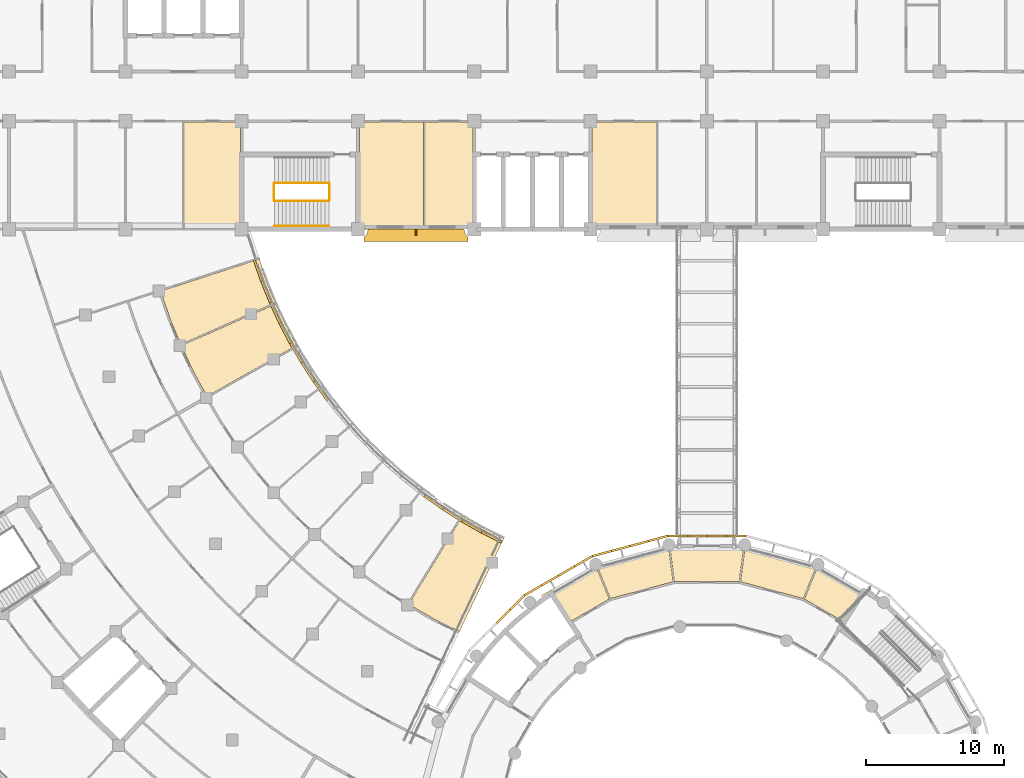
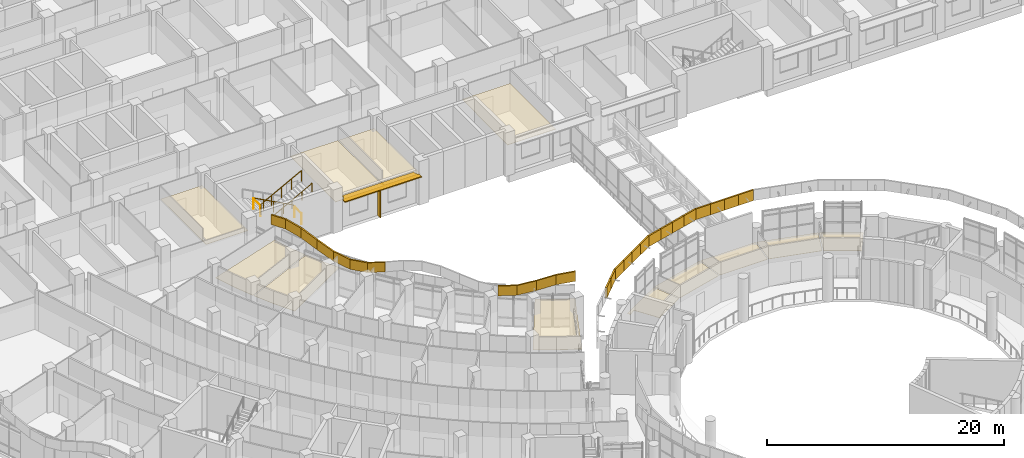
# One storey, part 122 of 136: 37 coverings, 5 railings, 2 shading devices.
"""IFC4 building model written with IfcOpenShell, lengths in metres."""

from ifc_helpers import new_model, si_unit, direction, frame, origin, origin_2d, place, context, subcontext, project, spatial, polyline, rectangle, circle, outline, extrude, material, layer, layer_set, material_profile, profile_set, type_object, element, save


model = new_model("IFC4")

# Units and contexts
model_context = context("Model", 3, precision=1e-05, world=origin(), true_north=direction((0.0, 1.0)))
body_context = subcontext(model_context, "Body", "Model", "MODEL_VIEW")
ifc_project = project(units=[si_unit("LENGTHUNIT", "METRE"), si_unit("AREAUNIT", "SQUARE_METRE"), si_unit("VOLUMEUNIT", "CUBIC_METRE"), si_unit("PLANEANGLEUNIT", "RADIAN"), si_unit("MASSUNIT", "GRAM", prefix="KILO")], contexts=[model_context])

# Site, building, storey
site_placement = place(None, origin())
site = spatial("IfcSite", under=ifc_project, at=site_placement, CompositionType="ELEMENT")
building_placement = place(site_placement, origin())
building = spatial("IfcBuilding", under=site, at=building_placement, Name="Bougainvillea Quay General Hospital", CompositionType="ELEMENT")
storey_placement = place(building_placement, frame((0.0, 0.0, 5.39990234375)))
storey = spatial("IfcBuildingStorey", under=building, at=storey_placement, Name="L01", CompositionType="ELEMENT", Elevation=5.39990234375)

# Coverings
ifc_material_1 = material(Name="Powder-coated aluminium fascia, white", Category="aluminium")
ifc_layer_1 = layer(ifc_material_1, 0.14990234375)
ifc_layer_set_1 = layer_set([ifc_layer_1], Name="Powder-coated aluminium fascia, white")
covering_type_1 = type_object("IfcCoveringType", Name="Aluminium fascia band white 150x1100", PredefinedType="CLADDING", material=ifc_layer_set_1)
covering_1_placement = place(storey_placement, frame((112.013427734375, 95.3701171875, 6.650146484375), z_axis=(0.0, 0.0, 1.0), x_axis=(-1.0, 0.0, 0.0)))
element("IfcCovering", 1, at=covering_1_placement, inside=storey, type_object=covering_type_1, Name="Fascia band white e1 23", PredefinedType="CLADDING", context=body_context, shape_type="SweptSolid", body=[
    extrude(outline(polyline([(0.0, 0.0), (1.44287109375, 0.0), (1.44287109375, -0.14990234375), (-0.019775390625, -0.14990234375), (0.0, 0.0)])), origin(), (0.0, 0.0, 1.0), 1.10009765625),
])
covering_2_placement = place(storey_placement, frame((110.570556640625, 95.3701171875, 6.650146484375), z_axis=(0.0, 0.0, 1.0), x_axis=(-1.0, 0.0, 0.0)))
element("IfcCovering", 2, at=covering_2_placement, inside=storey, type_object=covering_type_1, Name="Fascia band white e1 24", PredefinedType="CLADDING", context=body_context, shape_type="SweptSolid", body=[
    extrude(outline(polyline([(0.0, 0.0), (1.37060546875, 0.0), (1.37060546875, -0.14990234375), (0.0, -0.14990234375), (0.0, 0.0)])), origin(), (0.0, 0.0, 1.0), 1.10009765625),
])
covering_3_placement = place(storey_placement, frame((109.199951171875, 95.3701171875, 6.650146484375), z_axis=(0.0, 0.0, 1.0), x_axis=(-1.0, 0.0, 0.0)))
element("IfcCovering", 3, at=covering_3_placement, inside=storey, type_object=covering_type_1, Name="Fascia band white e1 25", PredefinedType="CLADDING", context=body_context, shape_type="SweptSolid", body=[
    extrude(outline(polyline([(0.0, 0.0), (1.370361328125, 0.0), (1.370361328125, -0.14990234375), (0.0, -0.14990234375), (0.0, 0.0)])), origin(), (0.0, 0.0, 1.0), 1.10009765625),
])
covering_4_placement = place(storey_placement, frame((107.82958984375, 95.3701171875, 6.650146484375), z_axis=(0.0, 0.0, 1.0), x_axis=(-1.0, 0.0, 0.0)))
element("IfcCovering", 4, at=covering_4_placement, inside=storey, type_object=covering_type_1, Name="Fascia band white e1 26", PredefinedType="CLADDING", context=body_context, shape_type="SweptSolid", body=[
    extrude(outline(polyline([(0.0, 0.0), (1.443115234375, 0.0), (1.462646484375, -0.14990234375), (0.0, -0.14990234375), (0.0, 0.0)])), origin(), (0.0, 0.0, 1.0), 1.10009765625),
])
covering_5_placement = place(storey_placement, frame((106.386474609375, 95.3701171875, 6.650146484375), z_axis=(0.0, 0.0, 1.0), x_axis=(-0.965902723626, -0.258905250026, 0.0)))
element("IfcCovering", 5, at=covering_5_placement, inside=storey, type_object=covering_type_1, Name="Fascia band white e1 27", PredefinedType="CLADDING", context=body_context, shape_type="SweptSolid", body=[
    extrude(outline(polyline([(0.0, 0.0), (1.4427484812010494, -1.1102230246251565e-16), (1.4427601315406933, -0.14988922115835282), (-0.019945216217249394, -0.14984782527068197), (0.0, 0.0)])), origin(), (0.0, 0.0, 1.0), 1.10009765625),
])
for number, where, z_axis, x_axis, name in (
    (6, (104.992919921875, 94.99658203125, 6.650146484375), (0.0, 0.0, 1.0), (-0.965917832393, -0.258848876884, 0.0), "Fascia band white e1 28"),
    (7, (103.669189453125, 94.641845703125, 6.650146484375), (0.0, 0.0, 1.0), (-0.965917832393, -0.258848876884, 0.0), "Fascia band white e1 29"),
):
    element("IfcCovering", number, at=place(storey_placement, frame(where, z_axis=z_axis, x_axis=x_axis)), inside=storey, type_object=covering_type_1, Name=name, PredefinedType="CLADDING", context=body_context, shape_type="SweptSolid", body=[
        extrude(outline(polyline([(0.0, 0.0), (1.3704379651734342, -5.551115123125783e-17), (1.3704583634542102, -0.1498892202231306), (2.039828077596978e-05, -0.14988922022313056), (0.0, 0.0)])), origin(), (0.0, 0.0, 1.0), 1.10009765625),
    ])
covering_6_placement = place(storey_placement, frame((102.345458984375, 94.287109375, 6.650146484375), z_axis=(0.0, 0.0, 1.0), x_axis=(-0.96591406393, -0.258862938836, 0.0)))
element("IfcCovering", 8, at=covering_6_placement, inside=storey, type_object=covering_type_1, Name="Fascia band white e1 30", PredefinedType="CLADDING", context=body_context, shape_type="SweptSolid", body=[
    extrude(outline(polyline([(0.0, 0.0), (1.4429842986801122, -5.551115123125783e-17), (1.4627235643386534, -0.14986654323044182), (1.8216170730327164e-05, -0.14988922050420808), (0.0, 0.0)])), origin(), (0.0, 0.0, 1.0), 1.10009765625),
])
covering_7_placement = place(storey_placement, frame((100.95166015625, 93.91357421875, 6.650146484375), z_axis=(0.0, 0.0, 1.0), x_axis=(-0.866058810152, -0.49994213401, 0.0)))
element("IfcCovering", 9, at=covering_7_placement, inside=storey, type_object=covering_type_1, Name="Fascia band white e1 31", PredefinedType="CLADDING", context=body_context, shape_type="SweptSolid", body=[
    extrude(outline(polyline([(0.0, 0.0), (1.4430380994058942, 0.0), (1.443016331686934, -0.14995740286665526), (-0.019704824865206458, -0.14987107548026693), (0.0, 0.0)])), origin(), (0.0, 0.0, 1.0), 1.10009765625),
])
covering_8_placement = place(storey_placement, frame((99.701904296875, 93.192138671875, 6.650146484375), z_axis=(0.0, 0.0, 1.0), x_axis=(-0.865986804272, -0.500066850358, 0.0)))
element("IfcCovering", 10, at=covering_8_placement, inside=storey, type_object=covering_type_1, Name="Fascia band white e1 32", PredefinedType="CLADDING", context=body_context, shape_type="SweptSolid", body=[
    extrude(outline(polyline([(0.0, 0.0), (1.3704222423145833, -1.1102230246251565e-16), (1.370590301720145, -0.15007948481028), (-4.3363154074840815e-05, -0.14995739817689163), (0.0, 0.0)])), origin(), (0.0, 0.0, 1.0), 1.10009765625),
])
covering_9_placement = place(storey_placement, frame((98.51513671875, 92.5068359375, 6.650146484375), z_axis=(0.0, 0.0, 1.0), x_axis=(-0.866031343357, -0.499989712218, 0.0)))
element("IfcCovering", 11, at=covering_9_placement, inside=storey, type_object=covering_type_1, Name="Fascia band white e1 33", PredefinedType="CLADDING", context=body_context, shape_type="SweptSolid", body=[
    extrude(outline(polyline([(0.0, 0.0), (1.3706336703115394, 0.0), (1.370815097766146, -0.15007946924533533), (0.00018142745460673904, -0.15007946924533525), (0.0, 0.0)])), origin(), (0.0, 0.0, 1.0), 1.10009765625),
])
covering_10_placement = place(storey_placement, frame((97.328125, 91.821533203125, 6.650146484375), z_axis=(0.0, 0.0, 1.0), x_axis=(-0.866058810152, -0.49994213401, 0.0)))
element("IfcCovering", 12, at=covering_10_placement, inside=storey, type_object=covering_type_1, Name="Fascia band white e1 34", PredefinedType="CLADDING", context=body_context, shape_type="SweptSolid", body=[
    extrude(outline(polyline([(0.0, 0.0), (1.4430380994058942, 0.0), (1.4629108289723776, -0.15016578643810474), (0.00018967242023705533, -0.15007945905171638), (0.0, 0.0)])), origin(), (0.0, 0.0, 1.0), 1.10009765625),
])
covering_11_placement = place(storey_placement, frame((96.078369140625, 91.10009765625, 6.650146484375), z_axis=(0.0, 0.0, 1.0), x_axis=(-0.707106781187, -0.707106781187, 0.0)))
element("IfcCovering", 13, at=covering_11_placement, inside=storey, type_object=covering_type_1, Name="Fascia band white e1 35", PredefinedType="CLADDING", context=body_context, shape_type="SweptSolid", body=[
    extrude(outline(polyline([(0.0, 0.0), (1.4428707219621983, 0.0), (1.4428707219621983, -0.15019113760554115), (-0.01968021803107091, -0.1501911376055411), (0.0, 0.0)])), origin(), (0.0, 0.0, 1.0), 1.10009765625),
])
covering_12_placement = place(storey_placement, frame((95.05810546875, 90.079833984375, 6.650146484375), z_axis=(0.0, 0.0, 1.0), x_axis=(-0.707106781187, -0.707106781187, 0.0)))
element("IfcCovering", 14, at=covering_12_placement, inside=storey, type_object=covering_type_1, Name="Fascia band white e1 36", PredefinedType="CLADDING", context=body_context, shape_type="SweptSolid", body=[
    extrude(outline(polyline([(0.0, 0.0), (1.370364655531937, 0.0), (1.370364655531937, -0.15019113760554115), (0.0, -0.15019113760554112), (0.0, 0.0)])), origin(), (0.0, 0.0, 1.0), 1.10009765625),
])
ifc_material_2 = material(Name="Powder-coated aluminium fascia, yellow", Category="aluminium")
ifc_layer_2 = layer(ifc_material_2, 0.14990234375)
ifc_layer_set_2 = layer_set([ifc_layer_2], Name="Powder-coated aluminium fascia, yellow")
covering_type_2 = type_object("IfcCoveringType", Name="Aluminium wave fascia ribbon yellow 150x1000", PredefinedType="CLADDING", material=ifc_layer_set_2)
covering_13_placement = place(storey_placement, frame((94.427490234375, 95.04443359375, 4.79345703125), z_axis=(-0.161366098667, 0.081455796295, 0.983527292682), x_axis=(-0.877413593793, 0.444377516384, -0.180759531864)))
element("IfcCovering", 15, at=covering_13_placement, inside=storey, type_object=covering_type_2, Name="Fascia ribbon yellow a11 1", PredefinedType="CLADDING", context=body_context, shape_type="SweptSolid", body=[
    extrude(outline(polyline([(0.0, 0.0), (1.6575272682500928, 3.3610267347050637e-18), (1.6610878113243264, 0.1498190698823268), (9.816896881470472e-05, 0.15001995212895292), (0.0, 0.0)])), origin(), (-0.180759531864, -0.000237043192, 0.983527292682), 1.0),
])
covering_14_placement = place(storey_placement, frame((92.97314453125, 95.781005859375, 4.492919921875), z_axis=(-0.292587291072, 0.166018631451, 0.941716778609), x_axis=(-0.818785959084, 0.465209712908, -0.336406712513)))
element("IfcCovering", 16, at=covering_14_placement, inside=storey, type_object=covering_type_2, Name="Fascia ribbon yellow a11 2", PredefinedType="CLADDING", context=body_context, shape_type="SweptSolid", body=[
    extrude(outline(polyline([(0.0, 0.0), (1.7386746068020302, -8.337514706413529e-17), (1.742398453953062, 0.14997812818423584), (-0.0038849023709440975, 0.14981418948290626), (0.0, 0.0)])), origin(), (-0.336406712513, -0.000180725302, 0.941716778609), 1.0),
])
covering_15_placement = place(storey_placement, frame((91.549560546875, 96.58984375, 3.90673828125), z_axis=(-0.260516646329, 0.165650230162, 0.951152499988), x_axis=(-0.803581813753, 0.508868984617, -0.308720950213)))
element("IfcCovering", 17, at=covering_15_placement, inside=storey, type_object=covering_type_2, Name="Fascia ribbon yellow a11 3", PredefinedType="CLADDING", context=body_context, shape_type="SweptSolid", body=[
    extrude(outline(polyline([(0.0, 0.0), (1.7214360307967744, 1.3547106145206378e-16), (1.7250286485133173, 0.15014636732820338), (-0.0038539322504971443, 0.14997484545854087), (0.0, 0.0)])), origin(), (-0.308720950213, 0.000544671109, 0.951152499988), 1.0),
])
covering_16_placement = place(storey_placement, frame((90.166259765625, 97.4658203125, 3.37451171875), z_axis=(-0.083905187416, 0.059872500727, 0.994673415339), x_axis=(-0.814122196225, 0.571472556877, -0.10307359677)))
element("IfcCovering", 18, at=covering_16_placement, inside=storey, type_object=covering_type_2, Name="Fascia ribbon yellow a11 4", PredefinedType="CLADDING", context=body_context, shape_type="SweptSolid", body=[
    extrude(outline(polyline([(0.0, 0.0), (1.6460538687691317, 1.504059463780516e-16), (1.6497038277832154, 0.14991079055404255), (-0.0037071355961419013, 0.15014121050353613), (0.0, 0.0)])), origin(), (-0.10307359677, 0.000794019797, 0.994673415339), 1.0),
])
covering_17_placement = place(storey_placement, frame((81.860107421875, 105.287109375, 3.934326171875), z_axis=(-0.183429846167, 0.254706903383, 0.949461892286), x_axis=(-0.555099490087, 0.770287251514, -0.313882312754)))
element("IfcCovering", 19, at=covering_17_placement, inside=storey, type_object=covering_type_2, Name="Fascia ribbon yellow a11 11", PredefinedType="CLADDING", context=body_context, shape_type="SweptSolid", body=[
    extrude(outline(polyline([(0.0, 0.0), (1.7245007625721906, -1.3462402850480948e-16), (1.7283374756489853, 0.1499500540950355), (-0.0037468827472678726, 0.1500085600040458), (0.0, 0.0)])), origin(), (-0.313882312754, 9.400014e-05, 0.949461892286), 1.0),
])
covering_18_placement = place(storey_placement, frame((80.90283203125, 106.615478515625, 3.39208984375), z_axis=(-0.062778337168, 0.096509981019, 0.993350242335), x_axis=(-0.541645405652, 0.832685389858, -0.115131646621)))
element("IfcCovering", 20, at=covering_18_placement, inside=storey, type_object=covering_type_2, Name="Fascia ribbon yellow a11 12", PredefinedType="CLADDING", context=body_context, shape_type="SweptSolid", body=[
    extrude(outline(polyline([(0.0, 0.0), (1.6483427245297102, 5.380353280959316e-18), (1.6518958079098458, 0.1500323282972837), (-0.003554168190543239, 0.14995282580322822), (0.0, 0.0)])), origin(), (-0.115131646621, -4.16341e-07, 0.993350242335), 1.0),
])
covering_19_placement = place(storey_placement, frame((80.010009765625, 107.988037109375, 3.20263671875), z_axis=(0.082008701523, -0.141703282854, 0.986506336778), x_axis=(-0.497894950724, 0.851643045157, 0.163721537005)))
element("IfcCovering", 21, at=covering_19_placement, inside=storey, type_object=covering_type_2, Name="Fascia ribbon yellow a11 13", PredefinedType="CLADDING", context=body_context, shape_type="SweptSolid", body=[
    extrude(outline(polyline([(0.0, 0.0), (1.659816823815005, -4.2961511084738113e-17), (1.663333742542165, 0.15011064918132896), (-0.003704299064541527, 0.15002968404677589), (0.0, 0.0)])), origin(), (0.163721537005, -0.00071120874, 0.986506336778), 1.0),
])
covering_20_placement = place(storey_placement, frame((79.18359375, 109.401611328125, 3.47509765625), z_axis=(0.154200815491, -0.293735539112, 0.943367129788), x_axis=(-0.436677339131, 0.836214626649, 0.331749905303)))
element("IfcCovering", 22, at=covering_20_placement, inside=storey, type_object=covering_type_2, Name="Fascia ribbon yellow a11 14", PredefinedType="CLADDING", context=body_context, shape_type="SweptSolid", body=[
    extrude(outline(polyline([(0.0, 0.0), (1.735393671427219, 6.033585089881832e-17), (1.7394030041446402, 0.1500842036538967), (-0.003886303665800241, 0.15010570677492524), (0.0, 0.0)])), origin(), (0.331749905303, 0.000677323726, 0.943367129788), 1.0),
])
covering_21_placement = place(storey_placement, frame((78.42578125, 110.852783203125, 4.05224609375), z_axis=(0.132535241666, -0.287202581941, 0.948656463976), x_axis=(-0.398483936347, 0.860906358594, 0.316308068511)))
element("IfcCovering", 23, at=covering_21_placement, inside=storey, type_object=covering_type_2, Name="Fascia ribbon yellow a11 15", PredefinedType="CLADDING", context=body_context, shape_type="SweptSolid", body=[
    extrude(outline(polyline([(0.0, 0.0), (1.7258960420618923, -6.952446431063297e-17), (1.7298670696365002, 0.14998113872371002), (-0.003643562172297059, 0.15009134775304478), (0.0, 0.0)])), origin(), (0.316308068511, -0.000345183093, 0.948656463976), 1.0),
])
covering_22_placement = place(storey_placement, frame((77.738037109375, 112.338623046875, 4.598876953125), z_axis=(0.045520317657, -0.112224332926, 0.992639712977), x_axis=(-0.3735512286, 0.919670094512, 0.121104900281)))
element("IfcCovering", 24, at=covering_22_placement, inside=storey, type_object=covering_type_2, Name="Fascia ribbon yellow a11 16", PredefinedType="CLADDING", context=body_context, shape_type="SweptSolid", body=[
    extrude(outline(polyline([(0.0, 0.0), (1.6495940128692967, 2.7677648584481518e-17), (1.6531453033091807, 0.15009016966967564), (-0.003407915022281931, 0.1499908037484714), (0.0, 0.0)])), origin(), (0.121104900281, -5.7862601e-05, 0.992639712977), 1.0),
])
covering_23_placement = place(storey_placement, frame((77.121826171875, 113.855712890625, 4.798583984375), z_axis=(-0.052536114477, 0.148469794215, 0.987520469095), x_axis=(-0.327459532387, 0.931647486257, -0.157490367959)))
element("IfcCovering", 25, at=covering_23_placement, inside=storey, type_object=covering_type_2, Name="Fascia ribbon yellow a11 17", PredefinedType="CLADDING", context=body_context, shape_type="SweptSolid", body=[
    extrude(outline(polyline([(0.0, 0.0), (1.6506763092075507, 7.216720710606639e-17), (1.6506446787358058, 0.150104984595657), (-0.003692602934013223, 0.15008676797391263), (0.0, 0.0)])), origin(), (-0.157490367959, -0.000327289603, 0.987520469095), 1.0),
])

# Railings
ifc_material_3 = material(Name="Stainless steel 304 balustrade", Category="steel")
railing_type_1 = type_object("IfcRailingType", Name="Stair guard 1100", PredefinedType="GUARDRAIL", material=ifc_material_3)
railing_1_placement = place(storey_placement, frame((81.89990234375, 120.949951171875, 0.150146484375)))
element("IfcRailing", 26, at=railing_1_placement, inside=storey, type_object=railing_type_1, Name="L01 ST-B2 stair guard 1", PredefinedType="GUARDRAIL", context=body_context, shape_type="SweptSolid", body=[
    extrude(circle(Radius=0.02392578125, at=origin_2d()), frame((0.0, 0.0, 1.076171875), z_axis=(-0.881489763865, 0.0, 0.472203130232), x_axis=(0.0, -1.0, 0.0)), (0.0, 0.0, 1.0), 4.447021484375),
    extrude(circle(Radius=0.02099609375, at=origin_2d()), origin(), (0.0, 0.0, 1.0), 1.052001953125),
    extrude(circle(Radius=0.02099609375, at=origin_2d()), frame((-0.97998046875, 0.0, 0.52490234375)), (0.0, 0.0, 1.0), 1.052001953125),
    extrude(circle(Radius=0.02099609375, at=origin_2d()), frame((-1.9599609375, 0.0, 1.0498046875)), (0.0, 0.0, 1.0), 1.052001953125),
    extrude(circle(Radius=0.02099609375, at=origin_2d()), frame((-2.93994140625, 0.0, 1.574951171875)), (0.0, 0.0, 1.0), 1.052001953125),
    extrude(circle(Radius=0.02099609375, at=origin_2d()), frame((-3.919921875, 0.0, 2.099853515625)), (0.0, 0.0, 1.0), 1.052001953125),
])
railing_2_placement = place(storey_placement, frame((77.929931640625, 120.89990234375, 2.25)))
element("IfcRailing", 27, at=railing_2_placement, inside=storey, type_object=railing_type_1, Name="L01 ST-B2 stair guard 2", PredefinedType="GUARDRAIL", context=body_context, shape_type="SweptSolid", body=[
    extrude(circle(Radius=0.02392578125, at=origin_2d()), frame((0.0, 0.0, 1.076171875), z_axis=(0.0, -1.0, 0.0), x_axis=(1.0, 0.0, 0.0)), (0.0, 0.0, 1.0), 1.199951171875),
    extrude(circle(Radius=0.02099609375, at=origin_2d()), origin(), (0.0, 0.0, 1.0), 1.052001953125),
    extrude(circle(Radius=0.02099609375, at=origin_2d()), frame((0.0, -1.199951171875, 0.0)), (0.0, 0.0, 1.0), 1.052001953125),
])
railing_3_placement = place(storey_placement, frame((77.97998046875, 119.64990234375, 2.400146484375)))
element("IfcRailing", 28, at=railing_3_placement, inside=storey, type_object=railing_type_1, Name="L01 ST-B2 stair guard 3", PredefinedType="GUARDRAIL", context=body_context, shape_type="SweptSolid", body=[
    extrude(circle(Radius=0.02392578125, at=origin_2d()), frame((0.0, 0.0, 1.076171875), z_axis=(0.881489763865, 0.0, 0.472203130232), x_axis=(0.0, 1.0, 0.0)), (0.0, 0.0, 1.0), 4.447021484375),
    extrude(circle(Radius=0.02099609375, at=origin_2d()), origin(), (0.0, 0.0, 1.0), 1.052001953125),
    extrude(circle(Radius=0.02099609375, at=origin_2d()), frame((0.97998046875, 0.0, 0.52490234375)), (0.0, 0.0, 1.0), 1.052001953125),
    extrude(circle(Radius=0.02099609375, at=origin_2d()), frame((1.9599609375, 0.0, 1.0498046875)), (0.0, 0.0, 1.0), 1.052001953125),
    extrude(circle(Radius=0.02099609375, at=origin_2d()), frame((2.93994140625, 0.0, 1.574951171875)), (0.0, 0.0, 1.0), 1.052001953125),
    extrude(circle(Radius=0.02099609375, at=origin_2d()), frame((3.919921875, 0.0, 2.099853515625)), (0.0, 0.0, 1.0), 1.052001953125),
])
railing_4_placement = place(storey_placement, frame((81.949951171875, 120.89990234375, 0.0)))
element("IfcRailing", 29, at=railing_4_placement, inside=storey, type_object=railing_type_1, Name="L01 ST-B2 stair guard 4", PredefinedType="GUARDRAIL", context=body_context, shape_type="SweptSolid", body=[
    extrude(circle(Radius=0.02392578125, at=origin_2d()), frame((0.0, 0.0, 1.076171875), z_axis=(0.0, -1.0, 0.0), x_axis=(1.0, 0.0, 0.0)), (0.0, 0.0, 1.0), 1.199951171875),
    extrude(circle(Radius=0.02099609375, at=origin_2d()), origin(), (0.0, 0.0, 1.0), 1.052001953125),
    extrude(circle(Radius=0.02099609375, at=origin_2d()), frame((0.0, -1.199951171875, 0.0)), (0.0, 0.0, 1.0), 1.052001953125),
])
ifc_material_4 = material(Name="Stainless steel 304 handrail", Category="steel")
railing_type_2 = type_object("IfcRailingType", Name="Stair handrail 900", PredefinedType="HANDRAIL", material=ifc_material_4)
railing_5_placement = place(storey_placement, frame((77.97998046875, 117.824951171875, 2.400146484375)))
element("IfcRailing", 30, at=railing_5_placement, inside=storey, type_object=railing_type_2, Name="L01 ST-B2 stair handrail 2", PredefinedType="HANDRAIL", context=body_context, shape_type="SweptSolid", body=[
    extrude(circle(Radius=0.02392578125, at=origin_2d()), frame((0.0, 0.0, 0.8759765625), z_axis=(0.881489763865, 0.0, 0.472203130232), x_axis=(0.0, 1.0, 0.0)), (0.0, 0.0, 1.0), 4.447021484375),
    extrude(circle(Radius=0.02099609375, at=origin_2d()), origin(), (0.0, 0.0, 1.0), 0.851806640625),
    extrude(circle(Radius=0.02099609375, at=origin_2d()), frame((0.97998046875, 0.0, 0.52490234375)), (0.0, 0.0, 1.0), 0.851806640625),
    extrude(circle(Radius=0.02099609375, at=origin_2d()), frame((1.9599609375, 0.0, 1.0498046875)), (0.0, 0.0, 1.0), 0.851806640625),
    extrude(circle(Radius=0.02099609375, at=origin_2d()), frame((2.93994140625, 0.0, 1.574951171875)), (0.0, 0.0, 1.0), 0.851806640625),
    extrude(circle(Radius=0.02099609375, at=origin_2d()), frame((3.919921875, 0.0, 2.099853515625)), (0.0, 0.0, 1.0), 0.851806640625),
])

# Shading device
ifc_material_5 = material(Name="Powder-coated aluminium canopy soffit and fascia, white", Category="aluminium")
ifc_layer_3 = layer(ifc_material_5, 0.10009765625)
ifc_layer_set_3 = layer_set([ifc_layer_3], Name="Powder-coated aluminium canopy soffit and fascia, white")
shading_device_type_1 = type_object("IfcShadingDeviceType", Name="Sunshade 100", PredefinedType="USERDEFINED", material=ifc_layer_set_3)
shading_device_1_placement = place(storey_placement, frame((0.0, 0.0, 3.150146484375)))
element("IfcShadingDevice", 31, at=shading_device_1_placement, inside=storey, type_object=shading_device_type_1, Name="Sunshade 0", ObjectType="Sunshade", PredefinedType="USERDEFINED", context=body_context, shape_type="SweptSolid", body=[
    extrude(outline(polyline([(91.675048828125, 117.60009765625), (84.72509765625, 117.60009765625), (84.721435546875, 117.529052734375), (84.69384765625, 117.3896484375), (84.639404296875, 117.25830078125), (84.560546875, 117.14013671875), (84.449951171875, 117.0322265625), (84.449951171875, 116.699951171875), (91.949951171875, 116.699951171875), (91.949951171875, 117.0322265625), (91.839599609375, 117.14013671875), (91.760498046875, 117.25830078125), (91.706298828125, 117.3896484375), (91.678466796875, 117.529052734375), (91.675048828125, 117.60009765625)])), origin(), (0.0, 0.0, 1.0), 0.099853515625),
])

# Coverings
ifc_material_6 = material(Name="Mineral fibre ceiling tile")
ifc_layer_4 = layer(ifc_material_6, 0.030029296875)
ifc_layer_set_4 = layer_set([ifc_layer_4], Name="Mineral fibre ceiling tile")
covering_type_3 = type_object("IfcCoveringType", Name="Suspended ceiling mineral fibre tile", PredefinedType="CEILING", material=ifc_layer_set_4)
covering_24_placement = place(storey_placement, frame((0.0, 0.0, 2.800048828125)))
element("IfcCovering", 32, at=covering_24_placement, inside=storey, type_object=covering_type_3, Name="Ceiling Endoscopy Nurses' Station", PredefinedType="CEILING", context=body_context, shape_type="SweptSolid", body=[
    extrude(outline(polyline([(75.5, 122.89990234375), (75.5, 125.35009765625), (71.447998046875, 125.35009765625), (71.447998046875, 117.64794921875), (75.550048828125, 117.64794921875), (75.550048828125, 122.89990234375), (75.5, 122.89990234375)])), origin(), (0.0, 0.0, 1.0), 0.030029296875),
])
covering_25_placement = place(storey_placement, frame((0.0, 0.0, 2.800048828125)))
element("IfcCovering", 33, at=covering_25_placement, inside=storey, type_object=covering_type_3, Name="Ceiling Intensive Care Bed Bay Room 03", PredefinedType="CEILING", context=body_context, shape_type="SweptSolid", body=[
    extrude(outline(polyline([(83.998046875, 117.597900390625), (88.748046875, 117.597900390625), (88.748046875, 125.35009765625), (84.10009765625, 125.35009765625), (84.10009765625, 122.89990234375), (84.050048828125, 122.89990234375), (84.050048828125, 117.60009765625), (83.998046875, 117.60009765625), (83.998046875, 117.597900390625)])), origin(), (0.0, 0.0, 1.0), 0.030029296875),
])
covering_26_placement = place(storey_placement, frame((0.0, 0.0, 2.800048828125)))
element("IfcCovering", 34, at=covering_26_placement, inside=storey, type_object=covering_type_3, Name="Ceiling Intensive Care Bed Bay Room 04", PredefinedType="CEILING", context=body_context, shape_type="SweptSolid", body=[
    extrude(outline(polyline([(92.300048828125, 122.89990234375), (92.300048828125, 125.35009765625), (88.847900390625, 125.35009765625), (88.847900390625, 117.64794921875), (92.347900390625, 117.64794921875), (92.347900390625, 122.89990234375), (92.300048828125, 122.89990234375)])), origin(), (0.0, 0.0, 1.0), 0.030029296875),
])
covering_27_placement = place(storey_placement, frame((0.0, 0.0, 2.800048828125)))
element("IfcCovering", 35, at=covering_27_placement, inside=storey, type_object=covering_type_3, Name="Ceiling Intensive Care Bed Bay Room 05", PredefinedType="CEILING", context=body_context, shape_type="SweptSolid", body=[
    extrude(outline(polyline([(100.798095703125, 117.597900390625), (105.548095703125, 117.597900390625), (105.548095703125, 125.35009765625), (100.89990234375, 125.35009765625), (100.89990234375, 122.89990234375), (100.85009765625, 122.89990234375), (100.85009765625, 117.60009765625), (100.798095703125, 117.60009765625), (100.798095703125, 117.597900390625)])), origin(), (0.0, 0.0, 1.0), 0.030029296875),
])
covering_28_placement = place(storey_placement, frame((0.0, 0.0, 2.7001953125)))
element("IfcCovering", 36, at=covering_28_placement, inside=storey, type_object=covering_type_3, Name="Ceiling Patient Education Room 01H0211", PredefinedType="CEILING", context=body_context, shape_type="SweptSolid", body=[
    extrude(outline(polyline([(117.27978515625, 93.375732421875), (116.252685546875, 90.896728515625), (116.266845703125, 90.89306640625), (116.262451171875, 90.876220703125), (119.03173828125, 89.277587890625), (119.033935546875, 89.28076171875), (119.05517578125, 89.266845703125), (120.51171875, 91.510009765625), (117.27978515625, 93.375732421875)])), origin(), (0.0, 0.0, 1.0), 0.02978515625),
])
covering_29_placement = place(storey_placement, frame((0.0, 0.0, 2.7001953125)))
element("IfcCovering", 37, at=covering_29_placement, inside=storey, type_object=covering_type_3, Name="Ceiling Patient Education Room 01H0212", PredefinedType="CEILING", context=body_context, shape_type="SweptSolid", body=[
    extrude(outline(polyline([(111.98974609375, 94.806884765625), (111.639404296875, 92.14697265625), (111.654052734375, 92.14697265625), (111.654052734375, 92.129638671875), (116.138916015625, 90.92724609375), (116.1474609375, 90.9423828125), (116.16015625, 90.93505859375), (117.187255859375, 93.4140625), (111.98974609375, 94.806884765625)])), origin(), (0.0, 0.0, 1.0), 0.02978515625),
])
covering_30_placement = place(storey_placement, frame((0.0, 0.0, 2.7001953125)))
element("IfcCovering", 38, at=covering_30_placement, inside=storey, type_object=covering_type_3, Name="Ceiling Teaching Room 01H0213", PredefinedType="CEILING", context=body_context, shape_type="SweptSolid", body=[
    extrude(outline(polyline([(106.509521484375, 94.820068359375), (106.85986328125, 92.16015625), (106.8740234375, 92.163818359375), (106.878662109375, 92.14697265625), (111.521484375, 92.14697265625), (111.52587890625, 92.163818359375), (111.540283203125, 92.16015625), (111.890625, 94.820068359375), (106.509521484375, 94.820068359375)])), origin(), (0.0, 0.0, 1.0), 0.02978515625),
])
covering_31_placement = place(storey_placement, frame((0.0, 0.0, 2.7001953125)))
element("IfcCovering", 39, at=covering_31_placement, inside=storey, type_object=covering_type_3, Name="Ceiling Resource Room 01H0214", PredefinedType="CEILING", context=body_context, shape_type="SweptSolid", body=[
    extrude(outline(polyline([(101.212646484375, 93.4140625), (102.23974609375, 90.93505859375), (102.25244140625, 90.9423828125), (102.26123046875, 90.92724609375), (106.74609375, 92.129638671875), (106.74609375, 92.14697265625), (106.7607421875, 92.14697265625), (106.410400390625, 94.806884765625), (101.212646484375, 93.4140625)])), origin(), (0.0, 0.0, 1.0), 0.02978515625),
])
covering_32_placement = place(storey_placement, frame((0.0, 0.0, 2.7001953125)))
element("IfcCovering", 40, at=covering_32_placement, inside=storey, type_object=covering_type_3, Name="Ceiling Patient Education Room 01H0215", PredefinedType="CEILING", context=body_context, shape_type="SweptSolid", body=[
    extrude(outline(polyline([(99.34716796875, 89.171630859375), (99.306396484375, 89.241943359375), (102.1376953125, 90.876220703125), (102.133056640625, 90.89306640625), (102.147216796875, 90.896728515625), (101.120361328125, 93.375732421875), (97.25634765625, 91.14501953125), (97.428955078125, 90.898681640625), (97.387939453125, 90.8701171875), (97.97998046875, 91.277099609375), (99.34716796875, 89.171630859375)])), origin(), (0.0, 0.0, 1.0), 0.02978515625),
])
covering_33_placement = place(storey_placement, frame((0.0, 0.0, 2.7001953125)))
element("IfcCovering", 41, at=covering_33_placement, inside=storey, type_object=covering_type_3, Name="Ceiling Fracture Consulting Room 01W111", PredefinedType="CEILING", context=body_context, shape_type="SweptSolid", body=[
    extrude(outline(polyline([(94.56298828125, 95.31201171875), (94.540283203125, 95.267333984375), (93.067626953125, 96.015869140625), (93.06640625, 96.013671875), (93.024169921875, 96.0380859375), (92.980712890625, 96.06005859375), (92.98193359375, 96.062255859375), (91.54736328125, 96.88427734375), (87.663330078125, 90.498291015625), (89.4453125, 89.47509765625), (91.331298828125, 88.53662109375), (94.56298828125, 95.31201171875)])), origin(), (0.0, 0.0, 1.0), 0.02978515625),
])
covering_34_placement = place(storey_placement, frame((0.0, 0.0, 2.7001953125)))
element("IfcCovering", 42, at=covering_34_placement, inside=storey, type_object=covering_type_3, Name="Ceiling Seminar Room 01W211", PredefinedType="CEILING", context=body_context, shape_type="SweptSolid", body=[
    extrude(outline(polyline([(72.10986328125, 107.328125), (73.09619140625, 105.52490234375), (79.577880859375, 109.21142578125), (78.954833984375, 110.36767578125), (78.953369140625, 110.366943359375), (78.908203125, 110.454345703125), (78.90966796875, 110.455078125), (78.4296875, 111.42041015625), (78.42822265625, 111.419677734375), (78.385986328125, 111.508544921875), (78.387451171875, 111.50927734375), (78.070068359375, 112.205322265625), (71.23193359375, 109.18701171875), (72.10986328125, 107.328125)])), origin(), (0.0, 0.0, 1.0), 0.02978515625),
])
covering_35_placement = place(storey_placement, frame((0.0, 0.0, 2.7001953125)))
element("IfcCovering", 43, at=covering_35_placement, inside=storey, type_object=covering_type_3, Name="Ceiling Skills Laboratory 01W212", PredefinedType="CEILING", context=body_context, shape_type="SweptSolid", body=[
    extrude(outline(polyline([(76.880126953125, 115.445556640625), (69.74267578125, 113.122802734375), (70.41015625, 111.179443359375), (71.191650390625, 109.278564453125), (78.030029296875, 112.296875), (77.52734375, 113.50830078125), (77.525634765625, 113.507568359375), (77.48974609375, 113.59912109375), (77.4912109375, 113.599609375), (77.085205078125, 114.683349609375), (77.132080078125, 114.700927734375), (76.880126953125, 115.445556640625)])), origin(), (0.0, 0.0, 1.0), 0.02978515625),
])

# Shading device
ifc_material_7 = material(Name="Powder-coated aluminium fin, white", Category="aluminium")
ifc_material_profile = material_profile(ifc_material_7, rectangle(XDim=0.449951171875, YDim=0.10009765625, at=origin_2d()))
ifc_profile_set = profile_set([ifc_material_profile], Name="Powder-coated aluminium fin, white")
shading_device_type_2 = type_object("IfcShadingDeviceType", Name="Vertical fin 450x100", PredefinedType="USERDEFINED", material=ifc_profile_set)
shading_device_2_placement = place(storey_placement, frame((88.199951171875, 117.375, 0.0), z_axis=(0.0, 0.0, 1.0), x_axis=(0.0, -1.0, 0.0)))
element("IfcShadingDevice", 44, at=shading_device_2_placement, inside=storey, type_object=shading_device_type_2, Name="Vertical fin 00a 1", ObjectType="Vertical fin", PredefinedType="USERDEFINED", context=body_context, shape_type="SweptSolid", body=[
    extrude(rectangle(XDim=0.449951171875, YDim=0.10009765625, at=origin_2d()), origin(), (0.0, 0.0, 1.0), 3.150146484375),
])

save(model, "model.ifc")
